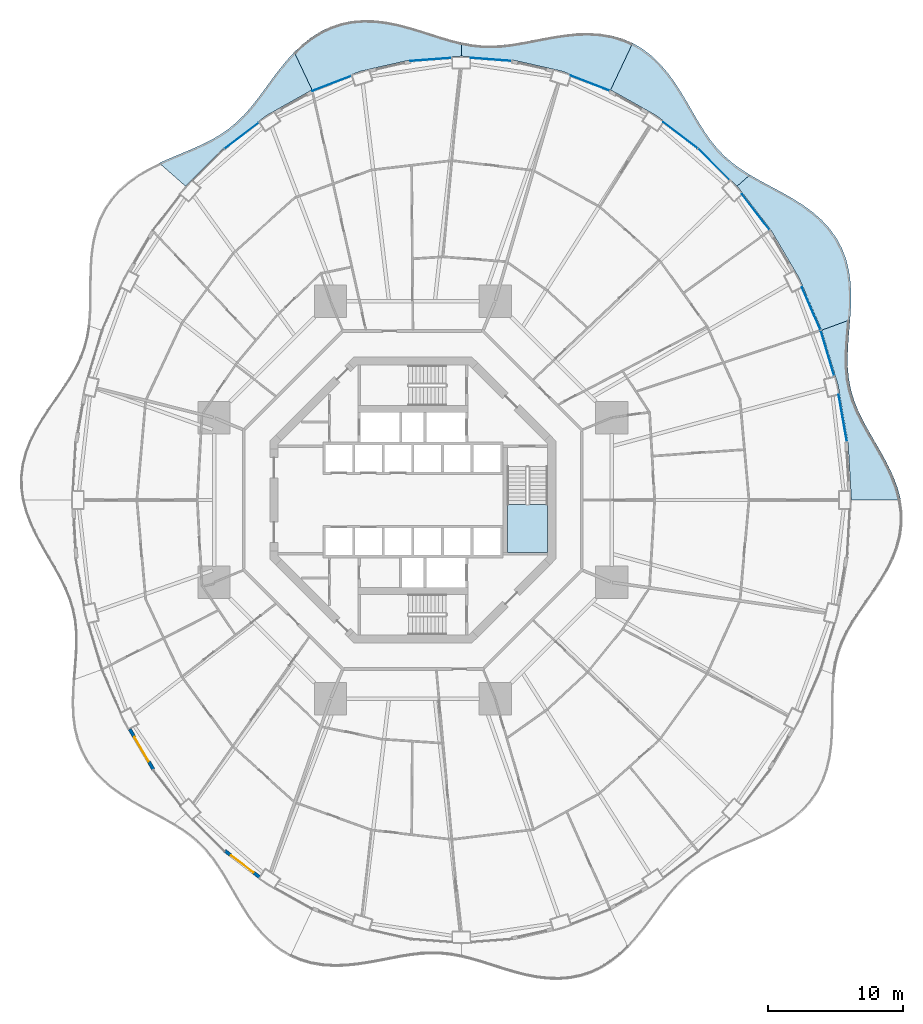
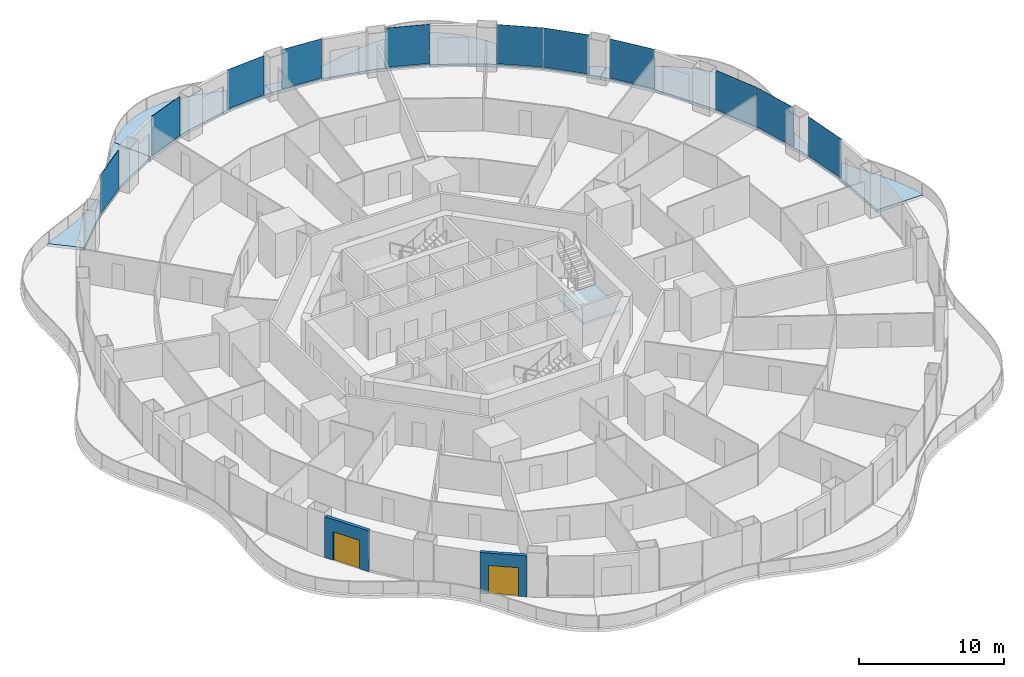
# One storey, part 13 of 22: 11 plates, 7 slabs, 2 doors, 2 walls, 2 openings, 12 elements without a shape of their own.
"""IFC4 building model written with IfcOpenShell, lengths in metres."""

import ifcopenshell
import ifcopenshell.guid

model = None  # the IFC model being written
_history = None  # IfcOwnerHistory: only IFC2X3 demands one
_inside = {}  # id of a spatial element -> (the spatial element, [elements in it])
_under = {}  # id of a project, library or spatial element -> (it, [spatial elements below it])
_declared = {}  # id of a project -> (the project, [libraries it declares])
_typed = {}  # id of a type object -> (the type object, [elements of that type])
_made_of = {}  # id of a material, layer set ... -> (it, [elements and type objects made of it])


def new_model(schema):
    """Start an empty IFC model of exactly this schema.

    Asked for "IFC4X3", IfcOpenShell would pick the latest addendum, in which some entities
    have other attributes; the version numbers below select the first issue.
    IFC2X3 requires an IfcOwnerHistory on every rooted entity: one is made here for all.
    """
    global model, _history
    if schema == "IFC4X3":
        model = ifcopenshell.file(schema_version=(4, 3, 0, 0))
    else:
        model = ifcopenshell.file(schema=schema)
    _inside.clear()
    _under.clear()
    _declared.clear()
    _typed.clear()
    _made_of.clear()
    _history = None
    if model.schema == "IFC2X3":
        org = make("IfcOrganization", Name="unknown")
        user = make(
            "IfcPersonAndOrganization",
            ThePerson=make("IfcPerson", FamilyName="unknown"),
            TheOrganization=org,
        )
        app = make(
            "IfcApplication",
            ApplicationDeveloper=org,
            Version="unknown",
            ApplicationFullName="unknown",
            ApplicationIdentifier="unknown",
        )
        _history = make(
            "IfcOwnerHistory",
            OwningUser=user,
            OwningApplication=app,
            ChangeAction="ADDED",
            CreationDate=0,
        )
    return model


def make(cls, **values):
    """One entity of the class cls with the attributes given. An attribute that is None is left unset."""
    return model.create_entity(
        cls, **{name: value for name, value in values.items() if value is not None}
    )


def rooted(cls, **values):
    """An entity with a GlobalId (a new one), such as an element, a storey or a relation."""
    return make(cls, GlobalId=ifcopenshell.guid.new(), OwnerHistory=_history, **values)


def si_unit(unit_type, name, prefix=None):
    """IfcSIUnit, for example si_unit("LENGTHUNIT", "METRE", prefix="MILLI")."""
    return make("IfcSIUnit", UnitType=unit_type, Prefix=prefix, Name=name)


def assignment(units):
    """IfcUnitAssignment: the units of a project."""
    return None if units is None else make("IfcUnitAssignment", Units=units)


def point(xyz):
    """IfcCartesianPoint."""
    return None if xyz is None else make("IfcCartesianPoint", Coordinates=xyz)


def direction(xyz):
    """IfcDirection."""
    return None if xyz is None else make("IfcDirection", DirectionRatios=xyz)


def frame(location, z_axis=None, x_axis=None):
    """IfcAxis2Placement3D, a coordinate frame: its origin and axes. An axis left out is left unset."""
    return make(
        "IfcAxis2Placement3D",
        Location=point(location),
        Axis=direction(z_axis),
        RefDirection=direction(x_axis),
    )


def frame_2d(location, x_axis=None):
    """IfcAxis2Placement2D, a coordinate frame in the plane: its origin and x axis."""
    return make(
        "IfcAxis2Placement2D", Location=point(location), RefDirection=direction(x_axis)
    )


def origin():
    """The frame at (0, 0, 0) with its axes left unset."""
    return frame((0.0, 0.0, 0.0))


def origin_2d():
    """The frame at (0, 0) in the plane with its x axis left unset."""
    return frame_2d((0.0, 0.0))


def place(relative_to, where):
    """IfcLocalPlacement: puts the frame where relative to a parent placement (None: the world)."""
    return make(
        "IfcLocalPlacement", PlacementRelTo=relative_to, RelativePlacement=where
    )


def context(
    kind, dimensions, precision=None, world=None, true_north=None, identifier=None
):
    """IfcGeometricRepresentationContext, for example the 3D "Model" context."""
    return make(
        "IfcGeometricRepresentationContext",
        ContextIdentifier=identifier,
        ContextType=kind,
        CoordinateSpaceDimension=dimensions,
        Precision=precision,
        WorldCoordinateSystem=world,
        TrueNorth=true_north,
    )


def subcontext(parent, identifier, kind, view, scale=None):
    """IfcGeometricRepresentationSubContext, for example "Body" below "Model"."""
    return make(
        "IfcGeometricRepresentationSubContext",
        ContextIdentifier=identifier,
        ContextType=kind,
        ParentContext=parent,
        TargetScale=scale,
        TargetView=view,
    )


def project(units=None, contexts=None):
    """IfcProject with its units and contexts."""
    return rooted(
        "IfcProject",
        Name="project",
        RepresentationContexts=contexts,
        UnitsInContext=assignment(units),
    )


def spatial(cls, under=None, at=None, **own):
    """A site, building, storey or space (cls), placed at a placement, below another one or the project."""
    s = rooted(cls, ObjectPlacement=at, **own)
    if under is not None:
        _under.setdefault(under.id(), (under, []))[1].append(s)
    return s


def polyline(points):
    """IfcPolyline through the points."""
    return make("IfcPolyline", Points=[point(p) for p in points])


def profile(cls, at=None, kind="AREA", **sizes):
    """A parametric profile (cls). Its sizes go by their IFC names, for example OverallWidth=200.0."""
    return make(cls, ProfileType=kind, Position=at, **sizes)


def rectangle(**sizes):
    """IfcRectangleProfileDef."""
    return profile("IfcRectangleProfileDef", **sizes)


def outline(outer, holes=None, kind="AREA"):
    """IfcArbitraryClosedProfileDef: a profile drawn as a closed curve; with holes, ...WithVoids."""
    if holes is None:
        return make("IfcArbitraryClosedProfileDef", ProfileType=kind, OuterCurve=outer)
    return make(
        "IfcArbitraryProfileDefWithVoids",
        ProfileType=kind,
        OuterCurve=outer,
        InnerCurves=holes,
    )


def extrude(swept, where, along, depth):
    """IfcExtrudedAreaSolid: the profile swept, set in the frame where, extruded along a direction by depth."""
    return make(
        "IfcExtrudedAreaSolid",
        SweptArea=swept,
        Position=where,
        ExtrudedDirection=direction(along),
        Depth=depth,
    )


def shape(context_of_items, identifier, shape_type, items):
    """IfcShapeRepresentation: the items that make up one representation, for example the "Body"."""
    return make(
        "IfcShapeRepresentation",
        ContextOfItems=context_of_items,
        RepresentationIdentifier=identifier,
        RepresentationType=shape_type,
        Items=items,
    )


def material(Name=None, Category=None):
    """IfcMaterial."""
    return make("IfcMaterial", Name=Name, Category=Category)


def layer(
    of_material, thickness, ventilated=None, Name=None, Category=None, Priority=None
):
    """IfcMaterialLayer: one layer of a wall or slab, of a material (None: an air gap)."""
    return make(
        "IfcMaterialLayer",
        Material=of_material,
        LayerThickness=thickness,
        IsVentilated=ventilated,
        Name=Name,
        Category=Category,
        Priority=Priority,
    )


def layer_set(layers, Name=None):
    """IfcMaterialLayerSet."""
    return make("IfcMaterialLayerSet", MaterialLayers=layers, LayerSetName=Name)


def made_of(thing, what):
    """Note that an element or type object is made of a material, layer set ...; save() writes the relation."""
    if what is not None:
        _made_of.setdefault(what.id(), (what, []))[1].append(thing)
    return thing


def type_object(cls, material=None, **own):
    """A type object (cls), such as IfcWallType, which elements share."""
    return made_of(rooted(cls, **own), material)


def element(
    cls,
    number,
    at=None,
    inside=None,
    cuts=None,
    type_object=None,
    material=None,
    context=None,
    identifier="Body",
    shape_type=None,
    held_by="IfcProductDefinitionShape",
    body=None,
    shapes=None,
    **own,
):
    """One element of the class cls, such as IfcWall. Its Tag is "e" and its number.

    at: its placement. inside: the storey or other place that contains it. cuts: it is an
    opening in that element (IfcRelVoidsElement). A single representation is given by context,
    identifier, shape_type and body (its items); several are given by shapes. held_by: the class
    of the entity that holds the representations. save() writes the other relations.
    """
    e = rooted(cls, Tag="e%d" % number, ObjectPlacement=at, **own)
    if body is not None:
        shapes = [shape(context, identifier, shape_type, body)]
    if shapes is not None:
        e.Representation = make(held_by, Representations=shapes)
    if inside is not None:
        _inside.setdefault(inside.id(), (inside, []))[1].append(e)
    if cuts is not None:
        rooted(
            "IfcRelVoidsElement", RelatingBuildingElement=cuts, RelatedOpeningElement=e
        )
    if type_object is not None:
        _typed.setdefault(type_object.id(), (type_object, []))[1].append(e)
    return made_of(e, material)


def fill(opening, filler):
    """IfcRelFillsElement: the door or window that sits in an opening."""
    return rooted(
        "IfcRelFillsElement",
        RelatingOpeningElement=opening,
        RelatedBuildingElement=filler,
    )


def aggregate(whole, parts):
    """IfcRelAggregates: a whole, such as a stair, and the parts it consists of."""
    return rooted("IfcRelAggregates", RelatingObject=whole, RelatedObjects=parts)


def save(model, path):
    """Write the relations noted so far, then the file.

    IfcRelAggregates (storeys below a building ...), IfcRelContainedInSpatialStructure (elements
    in a storey), IfcRelDefinesByType, IfcRelAssociatesMaterial and IfcRelDeclares: one each for
    every whole, place, type object, material and project.
    """
    for whole, parts in _under.values():
        aggregate(whole, parts)
    for where, things in _inside.values():
        rooted(
            "IfcRelContainedInSpatialStructure",
            RelatedElements=things,
            RelatingStructure=where,
        )
    for kind, things in _typed.values():
        rooted("IfcRelDefinesByType", RelatedObjects=things, RelatingType=kind)
    for what, things in _made_of.values():
        rooted("IfcRelAssociatesMaterial", RelatedObjects=things, RelatingMaterial=what)
    for by, libraries in _declared.values():
        rooted("IfcRelDeclares", RelatingContext=by, RelatedDefinitions=libraries)
    model.write(path)


model = new_model("IFC4")

# Units and contexts
model_context = context("Model", 3, precision=1e-05, world=origin(), true_north=direction((0.0, 1.0)))
body_context = subcontext(model_context, "Body", "Model", "MODEL_VIEW")
ifc_project = project(units=[si_unit("LENGTHUNIT", "METRE"), si_unit("AREAUNIT", "SQUARE_METRE"), si_unit("VOLUMEUNIT", "CUBIC_METRE"), si_unit("PLANEANGLEUNIT", "RADIAN"), si_unit("MASSUNIT", "GRAM", prefix="KILO")], contexts=[model_context])

# Site, building, storey
site_placement = place(None, origin())
site = spatial("IfcSite", under=ifc_project, at=site_placement, CompositionType="ELEMENT")
building_placement = place(site_placement, origin())
building = spatial("IfcBuilding", under=site, at=building_placement, Name="Nagisa Residences", CompositionType="ELEMENT")
storey_placement = place(building_placement, frame((0.0, 0.0, 34.39990234375)))
storey = spatial("IfcBuildingStorey", under=building, at=storey_placement, Name="L07", CompositionType="ELEMENT", Elevation=34.39990234375)

# Slabs
ifc_material_1 = material(Name="Concrete C40/50", Category="concrete")
ifc_layer_1 = layer(ifc_material_1, 0.25)
ifc_layer_set_1 = layer_set([ifc_layer_1], Name="BALCONY SLAB 250")
slab_type_1 = type_object("IfcSlabType", Name="BALCONY SLAB 250", PredefinedType="FLOOR", material=ifc_layer_set_1)
slab_1_placement = place(storey_placement, frame((0.0, 0.0, -0.25)))
element("IfcSlab", 1, at=slab_1_placement, inside=storey, type_object=slab_type_1, Name="slab:L07:bal00", PredefinedType="FLOOR", context=body_context, shape_type="SweptSolid", body=[
    extrude(outline(polyline([(36.2744140625, 0.0), (36.0400390625, 0.879150390625), (35.713134765625, 1.745361328125), (35.31494140625, 2.59423828125), (34.868896484375, 3.424560546875), (34.40185546875, 4.236328125), (33.939453125, 5.03271484375), (33.50634765625, 5.81787109375), (33.1240234375, 6.59814453125), (32.808349609375, 7.381103515625), (32.569580078125, 8.173828125), (32.411376953125, 8.983154296875), (32.330322265625, 9.81494140625), (32.316650390625, 10.672607421875), (32.3544921875, 11.556884765625), (32.42333984375, 12.46630859375), (32.5, 13.395751953125), (30.392578125, 12.628662109375), (31.61181640625, 8.541015625), (32.351806640625, 4.307373046875), (32.60009765625, 0.0), (36.2744140625, 0.0)])), origin(), (0.0, 0.0, 1.0), 0.25),
])
slab_2_placement = place(storey_placement, frame((0.0, 0.0, -0.25)))
element("IfcSlab", 2, at=slab_2_placement, inside=storey, type_object=slab_type_1, Name="slab:L07:bal01", PredefinedType="FLOOR", context=body_context, shape_type="SweptSolid", body=[
    extrude(outline(polyline([(32.5, 13.395751953125), (32.557861328125, 14.308349609375), (32.576904296875, 15.2236328125), (32.5361328125, 16.130859375), (32.41796875, 17.0185546875), (32.209228515625, 17.87548828125), (31.9013671875, 18.691162109375), (31.491943359375, 19.456787109375), (30.98388671875, 20.166259765625), (30.385009765625, 20.81640625), (29.708740234375, 21.407470703125), (28.9716796875, 21.944091796875), (28.19287109375, 22.433349609375), (27.392578125, 22.886474609375), (26.591064453125, 23.316650390625), (25.806396484375, 23.73876953125), (25.0546875, 24.168212890625), (24.106201171875, 23.33447265625), (26.607177734375, 20.089111328125), (28.71484375, 16.5), (30.392578125, 12.628662109375), (32.5, 13.395751953125)])), origin(), (0.0, 0.0, 1.0), 0.25),
])
slab_3_placement = place(storey_placement, frame((0.0, 0.0, -0.25)))
element("IfcSlab", 3, at=slab_3_placement, inside=storey, type_object=slab_type_1, Name="slab:L07:bal02", PredefinedType="FLOOR", context=body_context, shape_type="SweptSolid", body=[
    extrude(outline(polyline([(25.0546875, 24.168212890625), (24.37939453125, 24.59814453125), (23.750732421875, 25.06005859375), (23.171142578125, 25.56298828125), (22.63916015625, 26.113525390625), (22.148681640625, 26.7138671875), (21.691650390625, 27.36328125), (21.25634765625, 28.05615234375), (20.830078125, 28.783447265625), (20.398681640625, 29.532470703125), (19.94873046875, 30.28759765625), (19.468017578125, 31.031494140625), (18.946044921875, 31.745849609375), (18.375, 32.412353515625), (17.75048828125, 33.013671875), (17.07080078125, 33.535888671875), (16.337890625, 33.967529296875), (14.69775390625, 30.488037109375), (18.10009765625, 28.578857421875), (21.254150390625, 26.1806640625), (24.106201171875, 23.33447265625), (25.0546875, 24.168212890625)])), origin(), (0.0, 0.0, 1.0), 0.25),
])
slab_4_placement = place(storey_placement, frame((0.0, 0.0, -0.25)))
element("IfcSlab", 4, at=slab_4_placement, inside=storey, type_object=slab_type_1, Name="slab:L07:bal03", PredefinedType="FLOOR", context=body_context, shape_type="SweptSolid", body=[
    extrude(outline(polyline([(16.337890625, 33.967529296875), (15.585693359375, 34.291259765625), (14.79541015625, 34.522216796875), (13.974853515625, 34.662353515625), (13.133544921875, 34.718017578125), (12.28076171875, 34.69921875), (11.42578125, 34.61962890625), (10.576416015625, 34.495361328125), (9.739501953125, 34.343994140625), (8.919189453125, 34.183837890625), (8.118408203125, 34.033203125), (7.3369140625, 33.907958984375), (6.57275390625, 33.82275390625), (5.822509765625, 33.787353515625), (5.0810546875, 33.808837890625), (4.34228515625, 33.88916015625), (3.60009765625, 34.025634765625), (3.60009765625, 33.0), (7.38525390625, 32.7177734375), (11.105712890625, 31.87548828125), (14.69775390625, 30.488037109375), (16.337890625, 33.967529296875)])), origin(), (0.0, 0.0, 1.0), 0.25),
])
slab_5_placement = place(storey_placement, frame((0.0, 0.0, -0.25)))
element("IfcSlab", 5, at=slab_5_placement, inside=storey, type_object=slab_type_1, Name="slab:L07:bal04", PredefinedType="FLOOR", context=body_context, shape_type="SweptSolid", body=[
    extrude(outline(polyline([(3.60009765625, 34.025634765625), (2.848876953125, 34.21142578125), (2.083740234375, 34.435791015625), (1.301513671875, 34.68408203125), (0.501220703125, 34.939697265625), (-0.317138671875, 35.183837890625), (-1.150146484375, 35.39794921875), (-1.993408203125, 35.563720703125), (-2.840087890625, 35.66455078125), (-3.6826171875, 35.686767578125), (-4.51220703125, 35.619873046875), (-5.320556640625, 35.457763671875), (-6.099853515625, 35.1982421875), (-6.84326171875, 34.84375), (-7.546142578125, 34.401123046875), (-8.205322265625, 33.880859375), (-8.821533203125, 33.296142578125), (-7.497802734375, 30.488037109375), (-3.90576171875, 31.87548828125), (-0.185302734375, 32.7177734375), (3.60009765625, 33.0), (3.60009765625, 34.025634765625)])), origin(), (0.0, 0.0, 1.0), 0.25),
])
slab_6_placement = place(storey_placement, frame((0.0, 0.0, -0.25)))
element("IfcSlab", 6, at=slab_6_placement, inside=storey, type_object=slab_type_1, Name="slab:L07:bal05", PredefinedType="FLOOR", context=body_context, shape_type="SweptSolid", body=[
    extrude(outline(polyline([(-8.821533203125, 33.296142578125), (-9.41748046875, 32.638671875), (-9.9755859375, 31.948486328125), (-10.50390625, 31.24462890625), (-11.01318359375, 30.5458984375), (-11.51513671875, 29.869140625), (-12.0224609375, 29.22802734375), (-12.547119140625, 28.6328125), (-13.099609375, 28.089599609375), (-13.688720703125, 27.599853515625), (-14.320068359375, 27.160888671875), (-14.995849609375, 26.766845703125), (-15.71435546875, 26.4072265625), (-16.470458984375, 26.070068359375), (-17.2548828125, 25.741455078125), (-18.0556640625, 25.40625), (-18.858154296875, 25.050048828125), (-16.906005859375, 23.33447265625), (-14.05419921875, 26.1806640625), (-10.89990234375, 28.578857421875), (-7.497802734375, 30.488037109375), (-8.821533203125, 33.296142578125)])), origin(), (0.0, 0.0, 1.0), 0.25),
])

# Curtain wall, plate
ifc_material_2 = material(Name="Concrete-coloured aluminium curtain wall system", Category="concrete")
ifc_layer_2 = layer(ifc_material_2, 0.159912109375)
ifc_layer_set_2 = layer_set([ifc_layer_2], Name="CW1 CURTAIN WALL")
curtain_wall_type = type_object("IfcCurtainWallType", Name="CW1 CURTAIN WALL", PredefinedType="NOTDEFINED", material=ifc_layer_set_2)
curtain_wall_1_placement = place(storey_placement, origin())
curtain_wall_1 = element("IfcCurtainWall", 7, at=curtain_wall_1_placement, inside=storey, type_object=curtain_wall_type, Name="cw:CW1:L07:01", PredefinedType="NOTDEFINED")
ifc_material_3 = material(Name="Clear laminated glass", Category="glass")
ifc_layer_3 = layer(ifc_material_3, 0.028076171875)
ifc_layer_set_3 = layer_set([ifc_layer_3], Name="CW1 GLASS PANEL")
plate_type = type_object("IfcPlateType", Name="CW1 GLASS PANEL", PredefinedType="CURTAIN_PANEL", material=ifc_layer_set_3)
plate_1_placement = place(storey_placement, frame((31.958251953125, 6.09521484375, 0.150146484375), z_axis=(0.0, 0.0, 1.0), x_axis=(-0.172190868898, 0.985063604377, 0.0)))
plate_1 = element("IfcPlate", 8, at=plate_1_placement, type_object=plate_type, Name="CW1 panel", PredefinedType="CURTAIN_PANEL", context=body_context, shape_type="SweptSolid", body=[
    extrude(rectangle(XDim=3.537841796875, YDim=0.028076171875, at=origin_2d()), origin(), (0.0, 0.0, 1.0), 3.2900390625),
])
aggregate(curtain_wall_1, [plate_1])

curtain_wall_2_placement = place(storey_placement, origin())
curtain_wall_2 = element("IfcCurtainWall", 9, at=curtain_wall_2_placement, inside=storey, type_object=curtain_wall_type, Name="cw:CW1:L07:02", PredefinedType="NOTDEFINED")
plate_2_placement = place(storey_placement, frame((30.81689453125, 10.926025390625, 0.150146484375), z_axis=(0.0, 0.0, 1.0), x_axis=(-0.285860274038, 0.958271310082, 0.0)))
plate_2 = element("IfcPlate", 10, at=plate_2_placement, type_object=plate_type, Name="CW1 panel", PredefinedType="CURTAIN_PANEL", context=body_context, shape_type="SweptSolid", body=[
    extrude(rectangle(XDim=3.505615234375, YDim=0.028076171875, at=origin_2d()), origin(), (0.0, 0.0, 1.0), 3.2900390625),
])
aggregate(curtain_wall_2, [plate_2])

curtain_wall_3_placement = place(storey_placement, origin())
curtain_wall_3 = element("IfcCurtainWall", 11, at=curtain_wall_3_placement, inside=storey, type_object=curtain_wall_type, Name="cw:CW1:L07:03", PredefinedType="NOTDEFINED")
plate_3_placement = place(storey_placement, frame((29.607421875, 14.23876953125, 0.150146484375), z_axis=(0.0, 0.0, 1.0), x_axis=(-0.397635934147, 0.917543276295, 0.0)))
plate_3 = element("IfcPlate", 12, at=plate_3_placement, type_object=plate_type, Name="CW1 panel", PredefinedType="CURTAIN_PANEL", context=body_context, shape_type="SweptSolid", body=[
    extrude(rectangle(XDim=3.45947265625, YDim=0.028076171875, at=origin_2d()), origin(), (0.0, 0.0, 1.0), 3.2900390625),
])
aggregate(curtain_wall_3, [plate_3])

curtain_wall_4_placement = place(storey_placement, origin())
curtain_wall_4 = element("IfcCurtainWall", 13, at=curtain_wall_4_placement, inside=storey, type_object=curtain_wall_type, Name="cw:CW1:L07:05", PredefinedType="NOTDEFINED")
plate_4_placement = place(storey_placement, frame((25.488525390625, 21.409423828125, 0.150146484375), z_axis=(0.0, 0.0, 1.0), x_axis=(-0.610429828235, 0.792070340816, 0.0)))
plate_4 = element("IfcPlate", 14, at=plate_4_placement, type_object=plate_type, Name="CW1 panel", PredefinedType="CURTAIN_PANEL", context=body_context, shape_type="SweptSolid", body=[
    extrude(rectangle(XDim=3.33740234375, YDim=0.028076171875, at=origin_2d()), origin(), (0.0, 0.0, 1.0), 3.2900390625),
])
aggregate(curtain_wall_4, [plate_4])

curtain_wall_5_placement = place(storey_placement, origin())
curtain_wall_5 = element("IfcCurtainWall", 15, at=curtain_wall_5_placement, inside=storey, type_object=curtain_wall_type, Name="cw:CW1:L07:06", PredefinedType="NOTDEFINED")
plate_5_placement = place(storey_placement, frame((22.3544921875, 24.969482421875, 0.150146484375), z_axis=(0.0, 0.0, 1.0), x_axis=(-0.707835924016, 0.706376885714, 0.0)))
plate_5 = element("IfcPlate", 16, at=plate_5_placement, type_object=plate_type, Name="CW1 panel", PredefinedType="CURTAIN_PANEL", context=body_context, shape_type="SweptSolid", body=[
    extrude(rectangle(XDim=3.269287109375, YDim=0.028076171875, at=origin_2d()), origin(), (0.0, 0.0, 1.0), 3.2900390625),
])
aggregate(curtain_wall_5, [plate_5])

curtain_wall_6_placement = place(storey_placement, origin())
curtain_wall_6 = element("IfcCurtainWall", 17, at=curtain_wall_6_placement, inside=storey, type_object=curtain_wall_type, Name="cw:CW1:L07:07", PredefinedType="NOTDEFINED")
plate_6_placement = place(storey_placement, frame((19.88330078125, 27.122314453125, 0.150146484375), z_axis=(0.0, 0.0, 1.0), x_axis=(-0.79603132756, 0.605255421737, 0.0)))
plate_6 = element("IfcPlate", 18, at=plate_6_placement, type_object=plate_type, Name="CW1 panel", PredefinedType="CURTAIN_PANEL", context=body_context, shape_type="SweptSolid", body=[
    extrude(rectangle(XDim=3.2021484375, YDim=0.028076171875, at=origin_2d()), origin(), (0.0, 0.0, 1.0), 3.2900390625),
])
aggregate(curtain_wall_6, [plate_6])

curtain_wall_7_placement = place(storey_placement, origin())
curtain_wall_7 = element("IfcCurtainWall", 19, at=curtain_wall_7_placement, inside=storey, type_object=curtain_wall_type, Name="cw:CW1:L07:09", PredefinedType="NOTDEFINED")
plate_7_placement = place(storey_placement, frame((13.17138671875, 30.991943359375, 0.150146484375), z_axis=(0.0, 0.0, 1.0), x_axis=(-0.932825759707, 0.360327770268, 0.0)))
plate_7 = element("IfcPlate", 20, at=plate_7_placement, type_object=plate_type, Name="CW1 panel", PredefinedType="CURTAIN_PANEL", context=body_context, shape_type="SweptSolid", body=[
    extrude(rectangle(XDim=3.0908203125, YDim=0.028076171875, at=origin_2d()), origin(), (0.0, 0.0, 1.0), 3.2900390625),
])
aggregate(curtain_wall_7, [plate_7])

curtain_wall_8_placement = place(storey_placement, origin())
curtain_wall_8 = element("IfcCurtainWall", 21, at=curtain_wall_8_placement, inside=storey, type_object=curtain_wall_type, Name="cw:CW1:L07:11", PredefinedType="NOTDEFINED")
plate_8_placement = place(storey_placement, frame((5.805908203125, 32.75537109375, 0.150146484375), z_axis=(0.0, 0.0, 1.0), x_axis=(-0.997230168512, 0.074377355493, 0.0)))
plate_8 = element("IfcPlate", 22, at=plate_8_placement, type_object=plate_type, Name="CW1 panel", PredefinedType="CURTAIN_PANEL", context=body_context, shape_type="SweptSolid", body=[
    extrude(rectangle(XDim=3.035888671875, YDim=0.028076171875, at=origin_2d()), origin(), (0.0, 0.0, 1.0), 3.2900390625),
])
aggregate(curtain_wall_8, [plate_8])

curtain_wall_9_placement = place(storey_placement, origin())
curtain_wall_9 = element("IfcCurtainWall", 23, at=curtain_wall_9_placement, inside=storey, type_object=curtain_wall_type, Name="cw:CW1:L07:12", PredefinedType="NOTDEFINED")
plate_9_placement = place(storey_placement, frame((1.33447265625, 32.750732421875, 0.150146484375), z_axis=(0.0, 0.0, 1.0), x_axis=(-0.997230168512, -0.074377355493, 0.0)))
plate_9 = element("IfcPlate", 24, at=plate_9_placement, type_object=plate_type, Name="CW1 panel", PredefinedType="CURTAIN_PANEL", context=body_context, shape_type="SweptSolid", body=[
    extrude(rectangle(XDim=3.035888671875, YDim=0.028076171875, at=origin_2d()), origin(), (0.0, 0.0, 1.0), 3.2900390625),
])
aggregate(curtain_wall_9, [plate_9])

curtain_wall_10_placement = place(storey_placement, origin())
curtain_wall_10 = element("IfcCurtainWall", 25, at=curtain_wall_10_placement, inside=storey, type_object=curtain_wall_type, Name="cw:CW1:L07:14", PredefinedType="NOTDEFINED")
plate_10_placement = place(storey_placement, frame((-6.02734375, 30.97021484375, 0.150146484375), z_axis=(0.0, 0.0, 1.0), x_axis=(-0.932825759707, -0.360327770268, 0.0)))
plate_10 = element("IfcPlate", 26, at=plate_10_placement, type_object=plate_type, Name="CW1 panel", PredefinedType="CURTAIN_PANEL", context=body_context, shape_type="SweptSolid", body=[
    extrude(rectangle(XDim=3.0908203125, YDim=0.028076171875, at=origin_2d()), origin(), (0.0, 0.0, 1.0), 3.2900390625),
])
aggregate(curtain_wall_10, [plate_10])

curtain_wall_11_placement = place(storey_placement, origin())
curtain_wall_11 = element("IfcCurtainWall", 27, at=curtain_wall_11_placement, inside=storey, type_object=curtain_wall_type, Name="cw:CW1:L07:16", PredefinedType="NOTDEFINED")
plate_11_placement = place(storey_placement, frame((-12.731201171875, 27.086181640625, 0.150146484375), z_axis=(0.0, 0.0, 1.0), x_axis=(-0.79603132756, -0.605255421737, 0.0)))
plate_11 = element("IfcPlate", 28, at=plate_11_placement, type_object=plate_type, Name="CW1 panel", PredefinedType="CURTAIN_PANEL", context=body_context, shape_type="SweptSolid", body=[
    extrude(rectangle(XDim=3.2021484375, YDim=0.028076171875, at=origin_2d()), origin(), (0.0, 0.0, 1.0), 3.2900390625),
])
aggregate(curtain_wall_11, [plate_11])

# Stair, slab
ifc_material_4 = material(Name="Concrete C60", Category="concrete")
stair_type = type_object("IfcStairType", Name="Exit stair", PredefinedType="HALF_TURN_STAIR", material=ifc_material_4)
stair_placement = place(storey_placement, origin())
stair = element("IfcStair", 29, at=stair_placement, inside=storey, type_object=stair_type, Name="L07 Exit stair E", PredefinedType="HALF_TURN_STAIR")
ifc_material_5 = material(Name="Concrete C60", Category="concrete")
ifc_layer_4 = layer(ifc_material_5, 0.199951171875)
ifc_layer_set_4 = layer_set([ifc_layer_4], Name="Stair landing")
slab_type_2 = type_object("IfcSlabType", Name="Stair landing", PredefinedType="LANDING", material=ifc_layer_set_4)
slab_7_placement = place(storey_placement, frame((0.0, 0.0, 1.650146484375)))
slab_7 = element("IfcSlab", 30, at=slab_7_placement, type_object=slab_type_2, Name="ST-E landing 1", PredefinedType="LANDING", context=body_context, shape_type="SweptSolid", body=[
    extrude(outline(polyline([(7.024658203125, -0.324951171875), (7.024658203125, -3.89990234375), (10.024658203125, -3.89990234375), (10.024658203125, -0.324951171875), (7.024658203125, -0.324951171875)])), origin(), (0.0, 0.0, 1.0), 0.199951171875),
])
aggregate(stair, [slab_7])

# Wall, opening, door
ifc_material_6 = material(Name="Precast concrete C40/50", Category="concrete")
ifc_layer_5 = layer(ifc_material_6, 0.25)
ifc_layer_set_5 = layer_set([ifc_layer_5], Name="BALCONY DOOR WALL 250")
wall_type = type_object("IfcWallType", Name="BALCONY DOOR WALL 250", PredefinedType="SOLIDWALL", material=ifc_layer_set_5)
wall_1_placement = place(storey_placement, frame((-19.299560546875, -20.02587890625, 0.0), z_axis=(0.0, 0.0, 1.0), x_axis=(-0.506311160839, 0.862350861546, 0.0)))
wall_1 = element("IfcWall", 31, at=wall_1_placement, inside=storey, type_object=wall_type, Name="wall:L07:bay28", PredefinedType="SOLIDWALL", context=body_context, shape_type="SweptSolid", body=[
    extrude(rectangle(XDim=3.462158203125, YDim=0.25, at=frame_2d((1.73095703125, 0.0))), origin(), (0.0, 0.0, 1.0), 3.440185546875),
])
opening_1_placement = place(wall_1_placement, frame((0.68115234375, 0.0, 0.0)))
opening_1 = element("IfcOpeningElement", 32, at=opening_1_placement, cuts=wall_1, Name="Opening BD-L07-10", PredefinedType="OPENING", context=body_context, shape_type="SweptSolid", body=[
    extrude(rectangle(XDim=2.10009765625, YDim=2.39990234375, at=frame_2d((1.050048828125, 1.199951171875))), frame((0.0, 0.135009765625, 0.0), z_axis=(0.0, -1.0, 0.0), x_axis=(1.0, 0.0, 0.0)), (0.0, 0.0, 1.0), 0.27001953125),
])
ifc_material_7 = material(Name="Aluminium and clear glass", Category="aluminium")
door_type = type_object("IfcDoorType", Name="BALCONY SLIDING DOOR 2100x2400", OperationType="SLIDING_TO_LEFT", PredefinedType="DOOR", material=ifc_material_7)
door_1_placement = place(opening_1_placement, origin())
door_1 = element("IfcDoor", 33, at=door_1_placement, inside=storey, type_object=door_type, Name="door:L07:bay28", OperationType="SLIDING_TO_LEFT", OverallHeight=2.39990234375, OverallWidth=2.10009765625, PredefinedType="DOOR", context=body_context, shape_type="SweptSolid", body=[
    extrude(rectangle(XDim=2.10009765625, YDim=2.39990234375, at=frame_2d((1.050048828125, 1.199951171875))), frame((0.0, 0.02490234375, 0.0), z_axis=(0.0, -1.0, 0.0), x_axis=(1.0, 0.0, 0.0)), (0.0, 0.0, 1.0), 0.050048828125),
])
fill(opening_1, door_1)

wall_2_placement = place(storey_placement, frame((-11.381591796875, -28.0556640625, 0.0), z_axis=(0.0, 0.0, 1.0), x_axis=(-0.796022293214, 0.605267303517, 0.0)))
wall_2 = element("IfcWall", 34, at=wall_2_placement, inside=storey, type_object=wall_type, Name="wall:L07:bay31", PredefinedType="SOLIDWALL", context=body_context, shape_type="SweptSolid", body=[
    extrude(rectangle(XDim=3.262451171875, YDim=0.25, at=frame_2d((1.63134765625, 0.0))), origin(), (0.0, 0.0, 1.0), 3.440185546875),
])
opening_2_placement = place(wall_2_placement, frame((0.5810546875, 0.0, 0.0)))
opening_2 = element("IfcOpeningElement", 35, at=opening_2_placement, cuts=wall_2, Name="Opening BD-L07-11", PredefinedType="OPENING", context=body_context, shape_type="SweptSolid", body=[
    extrude(rectangle(XDim=2.10009765625, YDim=2.39990234375, at=frame_2d((1.050048828125, 1.199951171875))), frame((0.0, 0.135009765625, 0.0), z_axis=(0.0, -1.0, 0.0), x_axis=(1.0, 0.0, 0.0)), (0.0, 0.0, 1.0), 0.27001953125),
])
door_2_placement = place(opening_2_placement, origin())
door_2 = element("IfcDoor", 36, at=door_2_placement, inside=storey, type_object=door_type, Name="door:L07:bay31", OperationType="SLIDING_TO_LEFT", OverallHeight=2.39990234375, OverallWidth=2.10009765625, PredefinedType="DOOR", context=body_context, shape_type="SweptSolid", body=[
    extrude(rectangle(XDim=2.10009765625, YDim=2.39990234375, at=frame_2d((1.050048828125, 1.199951171875))), frame((0.0, 0.02490234375, 0.0), z_axis=(0.0, -1.0, 0.0), x_axis=(1.0, 0.0, 0.0)), (0.0, 0.0, 1.0), 0.050048828125),
])
fill(opening_2, door_2)

save(model, "model.ifc")
